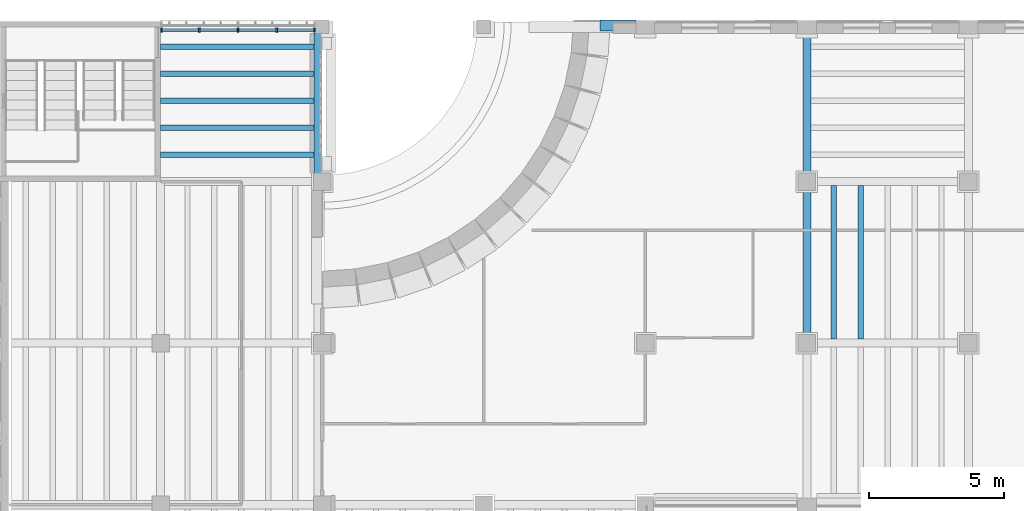
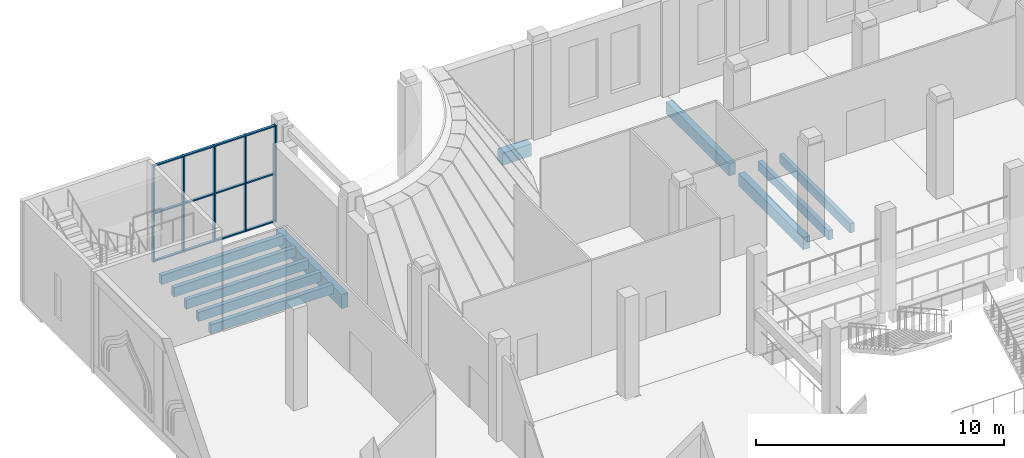
# One storey, part 25 of 80: 17 members, 11 beams, 1 element without a shape of its own.
"""IFC4 building model written with IfcOpenShell, lengths in metres."""

from ifc_helpers import new_model, si_unit, direction, frame, origin, origin_2d, place, context, subcontext, project, spatial, rectangle, extrude, material, material_profile, profile_set, type_object, element, aggregate, save


model = new_model("IFC4")

# Units and contexts
model_context = context("Model", 3, precision=1e-05, world=origin(), true_north=direction((0.0, 1.0)))
body_context = subcontext(model_context, "Body", "Model", "MODEL_VIEW")
ifc_project = project(units=[si_unit("LENGTHUNIT", "METRE"), si_unit("AREAUNIT", "SQUARE_METRE"), si_unit("VOLUMEUNIT", "CUBIC_METRE"), si_unit("PLANEANGLEUNIT", "RADIAN"), si_unit("MASSUNIT", "GRAM", prefix="KILO")], contexts=[model_context])

# Site, building, storey
site_placement = place(None, origin())
site = spatial("IfcSite", under=ifc_project, at=site_placement, CompositionType="ELEMENT")
building_placement = place(site_placement, origin())
building = spatial("IfcBuilding", under=site, at=building_placement, Name="Saffron Lane Theatres", CompositionType="ELEMENT")
storey_placement = place(building_placement, frame((0.0, 0.0, 7.0)))
storey = spatial("IfcBuildingStorey", under=building, at=storey_placement, Name="L01", CompositionType="ELEMENT", Elevation=7.0)

# Curtain wall, members
ifc_material_1 = material(Name="Aluminium", Category="aluminium")
curtain_wall_type = type_object("IfcCurtainWallType", Name="EX-CURTAIN WALL 5750x4750x160", PredefinedType="NOTDEFINED", material=ifc_material_1)
curtain_wall_placement = place(storey_placement, origin())
curtain_wall = element("IfcCurtainWall", 1, at=curtain_wall_placement, inside=storey, type_object=curtain_wall_type, Name="Curtain wall L01 08", PredefinedType="NOTDEFINED")
ifc_material_2 = material(Name="Aluminium", Category="aluminium")
ifc_material_profile_1 = material_profile(ifc_material_2, rectangle(XDim=0.06005859375, YDim=0.159912109375, at=origin_2d()))
ifc_profile_set_1 = profile_set([ifc_material_profile_1], Name="Aluminium")
member_type_1 = type_object("IfcMemberType", Name="EX-CW MULLION 60x160", PredefinedType="MULLION", material=ifc_profile_set_1)
member_1_placement = place(storey_placement, frame((6.030029296875, 125.6298828125, 0.0), z_axis=(0.0, 0.0, 1.0), x_axis=(1.0, 0.0, 0.0)))
member_1 = element("IfcMember", 2, at=member_1_placement, type_object=member_type_1, Name="CW-01-08 mullion 1", PredefinedType="MULLION", context=body_context, shape_type="SweptSolid", body=[
    extrude(rectangle(XDim=0.06005859375, YDim=0.159912109375, at=origin_2d()), origin(), (0.0, 0.0, 1.0), 4.75),
])
member_2_placement = place(storey_placement, frame((7.4375, 125.6298828125, 0.0), z_axis=(0.0, 0.0, 1.0), x_axis=(1.0, 0.0, 0.0)))
member_2 = element("IfcMember", 3, at=member_2_placement, type_object=member_type_1, Name="CW-01-08 mullion 2", PredefinedType="MULLION", context=body_context, shape_type="SweptSolid", body=[
    extrude(rectangle(XDim=0.06005859375, YDim=0.159912109375, at=origin_2d()), origin(), (0.0, 0.0, 1.0), 4.75),
])
member_3_placement = place(storey_placement, frame((8.875, 125.6298828125, 0.0), z_axis=(0.0, 0.0, 1.0), x_axis=(1.0, 0.0, 0.0)))
member_3 = element("IfcMember", 4, at=member_3_placement, type_object=member_type_1, Name="CW-01-08 mullion 3", PredefinedType="MULLION", context=body_context, shape_type="SweptSolid", body=[
    extrude(rectangle(XDim=0.06005859375, YDim=0.159912109375, at=origin_2d()), origin(), (0.0, 0.0, 1.0), 4.75),
])
member_4_placement = place(storey_placement, frame((10.3125, 125.6298828125, 0.0), z_axis=(0.0, 0.0, 1.0), x_axis=(1.0, 0.0, 0.0)))
member_4 = element("IfcMember", 5, at=member_4_placement, type_object=member_type_1, Name="CW-01-08 mullion 4", PredefinedType="MULLION", context=body_context, shape_type="SweptSolid", body=[
    extrude(rectangle(XDim=0.06005859375, YDim=0.159912109375, at=origin_2d()), origin(), (0.0, 0.0, 1.0), 4.75),
])
member_5_placement = place(storey_placement, frame((11.719970703125, 125.6298828125, 0.0), z_axis=(0.0, 0.0, 1.0), x_axis=(1.0, 0.0, 0.0)))
member_5 = element("IfcMember", 6, at=member_5_placement, type_object=member_type_1, Name="CW-01-08 mullion 5", PredefinedType="MULLION", context=body_context, shape_type="SweptSolid", body=[
    extrude(rectangle(XDim=0.06005859375, YDim=0.159912109375, at=origin_2d()), origin(), (0.0, 0.0, 1.0), 4.75),
])
ifc_material_3 = material(Name="Aluminium", Category="aluminium")
ifc_material_profile_2 = material_profile(ifc_material_3, rectangle(XDim=0.1201171875, YDim=0.06005859375, at=origin_2d()))
ifc_profile_set_2 = profile_set([ifc_material_profile_2], Name="Aluminium")
member_type_2 = type_object("IfcMemberType", Name="EX-CW TRANSOM 120x60", PredefinedType="USERDEFINED", material=ifc_profile_set_2)
member_6_placement = place(storey_placement, frame((6.06005859375, 125.6298828125, 0.030029296875), z_axis=(1.0, 0.0, 0.0), x_axis=(0.0, 1.0, 0.0)))
member_6 = element("IfcMember", 7, at=member_6_placement, type_object=member_type_2, Name="CW-01-08 transom 1.1", ObjectType="TRANSOM", PredefinedType="USERDEFINED", context=body_context, shape_type="SweptSolid", body=[
    extrude(rectangle(XDim=0.1201171875, YDim=0.06005859375, at=origin_2d()), origin(), (0.0, 0.0, 1.0), 1.347412109375),
])
member_7_placement = place(storey_placement, frame((6.06005859375, 125.6298828125, 2.375), z_axis=(1.0, 0.0, 0.0), x_axis=(0.0, 1.0, 0.0)))
member_7 = element("IfcMember", 8, at=member_7_placement, type_object=member_type_2, Name="CW-01-08 transom 1.2", ObjectType="TRANSOM", PredefinedType="USERDEFINED", context=body_context, shape_type="SweptSolid", body=[
    extrude(rectangle(XDim=0.1201171875, YDim=0.06005859375, at=origin_2d()), origin(), (0.0, 0.0, 1.0), 1.347412109375),
])
member_8_placement = place(storey_placement, frame((6.06005859375, 125.6298828125, 4.719970703125), z_axis=(1.0, 0.0, 0.0), x_axis=(0.0, 1.0, 0.0)))
member_8 = element("IfcMember", 9, at=member_8_placement, type_object=member_type_2, Name="CW-01-08 transom 1.3", ObjectType="TRANSOM", PredefinedType="USERDEFINED", context=body_context, shape_type="SweptSolid", body=[
    extrude(rectangle(XDim=0.1201171875, YDim=0.06005859375, at=origin_2d()), origin(), (0.0, 0.0, 1.0), 1.347412109375),
])
member_9_placement = place(storey_placement, frame((7.467529296875, 125.6298828125, 0.030029296875), z_axis=(1.0, 0.0, 0.0), x_axis=(0.0, 1.0, 0.0)))
member_9 = element("IfcMember", 10, at=member_9_placement, type_object=member_type_2, Name="CW-01-08 transom 2.1", ObjectType="TRANSOM", PredefinedType="USERDEFINED", context=body_context, shape_type="SweptSolid", body=[
    extrude(rectangle(XDim=0.1201171875, YDim=0.06005859375, at=origin_2d()), origin(), (0.0, 0.0, 1.0), 1.37744140625),
])
member_10_placement = place(storey_placement, frame((7.467529296875, 125.6298828125, 2.375), z_axis=(1.0, 0.0, 0.0), x_axis=(0.0, 1.0, 0.0)))
member_10 = element("IfcMember", 11, at=member_10_placement, type_object=member_type_2, Name="CW-01-08 transom 2.2", ObjectType="TRANSOM", PredefinedType="USERDEFINED", context=body_context, shape_type="SweptSolid", body=[
    extrude(rectangle(XDim=0.1201171875, YDim=0.06005859375, at=origin_2d()), origin(), (0.0, 0.0, 1.0), 1.37744140625),
])
member_11_placement = place(storey_placement, frame((7.467529296875, 125.6298828125, 4.719970703125), z_axis=(1.0, 0.0, 0.0), x_axis=(0.0, 1.0, 0.0)))
member_11 = element("IfcMember", 12, at=member_11_placement, type_object=member_type_2, Name="CW-01-08 transom 2.3", ObjectType="TRANSOM", PredefinedType="USERDEFINED", context=body_context, shape_type="SweptSolid", body=[
    extrude(rectangle(XDim=0.1201171875, YDim=0.06005859375, at=origin_2d()), origin(), (0.0, 0.0, 1.0), 1.37744140625),
])
member_12_placement = place(storey_placement, frame((8.905029296875, 125.6298828125, 0.030029296875), z_axis=(1.0, 0.0, 0.0), x_axis=(0.0, 1.0, 0.0)))
member_12 = element("IfcMember", 13, at=member_12_placement, type_object=member_type_2, Name="CW-01-08 transom 3.1", ObjectType="TRANSOM", PredefinedType="USERDEFINED", context=body_context, shape_type="SweptSolid", body=[
    extrude(rectangle(XDim=0.1201171875, YDim=0.06005859375, at=origin_2d()), origin(), (0.0, 0.0, 1.0), 1.37744140625),
])
member_13_placement = place(storey_placement, frame((8.905029296875, 125.6298828125, 2.375), z_axis=(1.0, 0.0, 0.0), x_axis=(0.0, 1.0, 0.0)))
member_13 = element("IfcMember", 14, at=member_13_placement, type_object=member_type_2, Name="CW-01-08 transom 3.2", ObjectType="TRANSOM", PredefinedType="USERDEFINED", context=body_context, shape_type="SweptSolid", body=[
    extrude(rectangle(XDim=0.1201171875, YDim=0.06005859375, at=origin_2d()), origin(), (0.0, 0.0, 1.0), 1.37744140625),
])
member_14_placement = place(storey_placement, frame((8.905029296875, 125.6298828125, 4.719970703125), z_axis=(1.0, 0.0, 0.0), x_axis=(0.0, 1.0, 0.0)))
member_14 = element("IfcMember", 15, at=member_14_placement, type_object=member_type_2, Name="CW-01-08 transom 3.3", ObjectType="TRANSOM", PredefinedType="USERDEFINED", context=body_context, shape_type="SweptSolid", body=[
    extrude(rectangle(XDim=0.1201171875, YDim=0.06005859375, at=origin_2d()), origin(), (0.0, 0.0, 1.0), 1.37744140625),
])
member_15_placement = place(storey_placement, frame((10.342529296875, 125.6298828125, 0.030029296875), z_axis=(1.0, 0.0, 0.0), x_axis=(0.0, 1.0, 0.0)))
member_15 = element("IfcMember", 16, at=member_15_placement, type_object=member_type_2, Name="CW-01-08 transom 4.1", ObjectType="TRANSOM", PredefinedType="USERDEFINED", context=body_context, shape_type="SweptSolid", body=[
    extrude(rectangle(XDim=0.1201171875, YDim=0.06005859375, at=origin_2d()), origin(), (0.0, 0.0, 1.0), 1.347412109375),
])
member_16_placement = place(storey_placement, frame((10.342529296875, 125.6298828125, 2.375), z_axis=(1.0, 0.0, 0.0), x_axis=(0.0, 1.0, 0.0)))
member_16 = element("IfcMember", 17, at=member_16_placement, type_object=member_type_2, Name="CW-01-08 transom 4.2", ObjectType="TRANSOM", PredefinedType="USERDEFINED", context=body_context, shape_type="SweptSolid", body=[
    extrude(rectangle(XDim=0.1201171875, YDim=0.06005859375, at=origin_2d()), origin(), (0.0, 0.0, 1.0), 1.347412109375),
])
member_17_placement = place(storey_placement, frame((10.342529296875, 125.6298828125, 4.719970703125), z_axis=(1.0, 0.0, 0.0), x_axis=(0.0, 1.0, 0.0)))
member_17 = element("IfcMember", 18, at=member_17_placement, type_object=member_type_2, Name="CW-01-08 transom 4.3", ObjectType="TRANSOM", PredefinedType="USERDEFINED", context=body_context, shape_type="SweptSolid", body=[
    extrude(rectangle(XDim=0.1201171875, YDim=0.06005859375, at=origin_2d()), origin(), (0.0, 0.0, 1.0), 1.347412109375),
])
aggregate(curtain_wall, [member_1, member_2, member_3, member_4, member_5, member_6, member_7, member_8, member_9, member_10, member_11, member_12, member_13, member_14, member_15, member_16, member_17])

# Beams
ifc_material_4 = material(Name="Concrete N40 (40 MPa)", Category="concrete")
ifc_material_profile_3 = material_profile(ifc_material_4, rectangle(XDim=0.300048828125, YDim=0.60009765625, at=origin_2d()))
ifc_profile_set_3 = profile_set([ifc_material_profile_3], Name="Concrete N40 (40 MPa)")
beam_type_1 = type_object("IfcBeamType", Name="RC-BEAM 300x600", PredefinedType="BEAM", material=ifc_profile_set_3)
beam_1_placement = place(storey_placement, frame((30.0, 114.375, -0.64990234375), z_axis=(0.0, 1.0, 0.0), x_axis=(-1.0, 0.0, 0.0)))
element("IfcBeam", 19, at=beam_1_placement, inside=storey, type_object=beam_type_1, Name="beam-L01-y300-1144", PredefinedType="BEAM", context=body_context, shape_type="SweptSolid", body=[
    extrude(rectangle(XDim=0.300048828125, YDim=0.60009765625, at=origin_2d()), origin(), (0.0, 0.0, 1.0), 5.25),
])
beam_2_placement = place(storey_placement, frame((30.0, 120.375, -0.64990234375), z_axis=(0.0, 1.0, 0.0), x_axis=(-1.0, 0.0, 0.0)))
element("IfcBeam", 20, at=beam_2_placement, inside=storey, type_object=beam_type_1, Name="beam-L01-y300-1204", PredefinedType="BEAM", context=body_context, shape_type="SweptSolid", body=[
    extrude(rectangle(XDim=0.300048828125, YDim=0.60009765625, at=origin_2d()), origin(), (0.0, 0.0, 1.0), 5.074462890625),
])
ifc_material_5 = material(Name="Concrete N40 (40 MPa)", Category="concrete")
ifc_material_profile_4 = material_profile(ifc_material_5, rectangle(XDim=0.300048828125, YDim=0.699951171875, at=origin_2d()))
ifc_profile_set_4 = profile_set([ifc_material_profile_4], Name="Concrete N40 (40 MPa)")
beam_type_2 = type_object("IfcBeamType", Name="RC-BEAM 300x700", PredefinedType="BEAM", material=ifc_profile_set_4)
beam_3_placement = place(storey_placement, frame((11.85009765625, 120.22509765625, -0.699951171875), z_axis=(0.0, 1.0, 0.0), x_axis=(-1.0, 0.0, 0.0)))
element("IfcBeam", 21, at=beam_3_placement, inside=storey, type_object=beam_type_2, Name="beam-L01-y120-1202", PredefinedType="BEAM", context=body_context, shape_type="SweptSolid", body=[
    extrude(rectangle(XDim=0.300048828125, YDim=0.699951171875, at=origin_2d()), origin(), (0.0, 0.0, 1.0), 5.29931640625),
])
ifc_material_6 = material(Name="Concrete N40 (40 MPa)", Category="concrete")
ifc_material_profile_5 = material_profile(ifc_material_6, rectangle(XDim=0.39990234375, YDim=0.60009765625, at=origin_2d()))
ifc_profile_set_5 = profile_set([ifc_material_profile_5], Name="Concrete N40 (40 MPa)")
beam_type_3 = type_object("IfcBeamType", Name="RC-BEAM 400x600", PredefinedType="BEAM", material=ifc_profile_set_5)
beam_4_placement = place(storey_placement, frame((22.3095703125, 125.799560546875, -0.64990234375), z_axis=(1.0, 0.0, 0.0), x_axis=(0.0, 1.0, 0.0)))
element("IfcBeam", 22, at=beam_4_placement, inside=storey, type_object=beam_type_3, Name="beam-L01-north-edge-NW", PredefinedType="BEAM", context=body_context, shape_type="SweptSolid", body=[
    extrude(rectangle(XDim=0.39990234375, YDim=0.60009765625, at=origin_2d()), origin(), (0.0, 0.0, 1.0), 1.34033203125),
])
ifc_material_7 = material(Name="Concrete N40 (40 MPa)", Category="concrete")
ifc_material_profile_6 = material_profile(ifc_material_7, rectangle(XDim=0.199951171875, YDim=0.449951171875, at=origin_2d()))
ifc_profile_set_6 = profile_set([ifc_material_profile_6], Name="Concrete N40 (40 MPa)")
beam_type_4 = type_object("IfcBeamType", Name="RC-JOIST 200x450", PredefinedType="JOIST", material=ifc_profile_set_6)
for number, where, z_axis, x_axis, name in (
    (23, (6.0, 121.0, -0.47509765625), (1.0, 0.0, 0.0), (0.0, 1.0, 0.0), "joist-L01-x12100-60"),
    (24, (6.0, 122.0, -0.47509765625), (1.0, 0.0, 0.0), (0.0, 1.0, 0.0), "joist-L01-x12200-60"),
    (25, (6.0, 123.0, -0.47509765625), (1.0, 0.0, 0.0), (0.0, 1.0, 0.0), "joist-L01-x12300-60"),
    (26, (6.0, 124.0, -0.47509765625), (1.0, 0.0, 0.0), (0.0, 1.0, 0.0), "joist-L01-x12400-60"),
    (27, (6.0, 125.0, -0.47509765625), (1.0, 0.0, 0.0), (0.0, 1.0, 0.0), "joist-L01-x12500-60"),
):
    element("IfcBeam", number, at=place(storey_placement, frame(where, z_axis=z_axis, x_axis=x_axis)), inside=storey, type_object=beam_type_4, Name=name, PredefinedType="JOIST", context=body_context, shape_type="SweptSolid", body=[
        extrude(rectangle(XDim=0.199951171875, YDim=0.449951171875, at=origin_2d()), origin(), (0.0, 0.0, 1.0), 5.699951171875),
    ])
for number, where, z_axis, x_axis, name in (
    (28, (31.0, 114.14990234375, -0.47509765625), (0.0, 1.0, 0.0), (-1.0, 0.0, 0.0), "joist-L01-y3100-1142"),
    (29, (32.0, 114.14990234375, -0.47509765625), (0.0, 1.0, 0.0), (-1.0, 0.0, 0.0), "joist-L01-y3200-1142"),
):
    element("IfcBeam", number, at=place(storey_placement, frame(where, z_axis=z_axis, x_axis=x_axis)), inside=storey, type_object=beam_type_4, Name=name, PredefinedType="JOIST", context=body_context, shape_type="SweptSolid", body=[
        extrude(rectangle(XDim=0.199951171875, YDim=0.449951171875, at=origin_2d()), origin(), (0.0, 0.0, 1.0), 5.7001953125),
    ])

save(model, "model.ifc")
